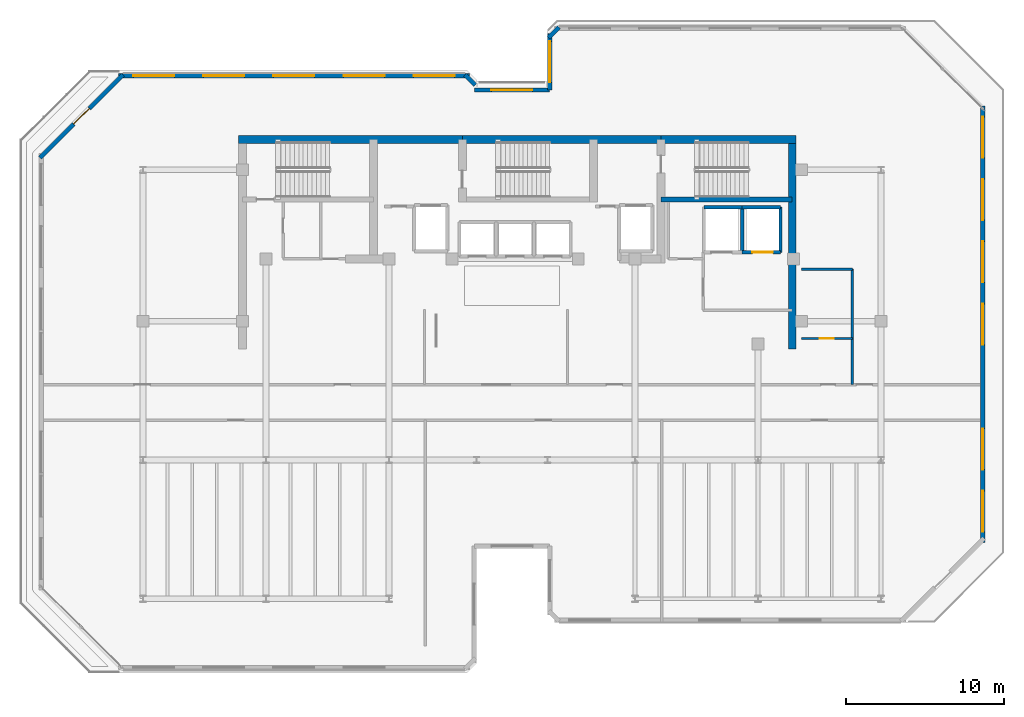
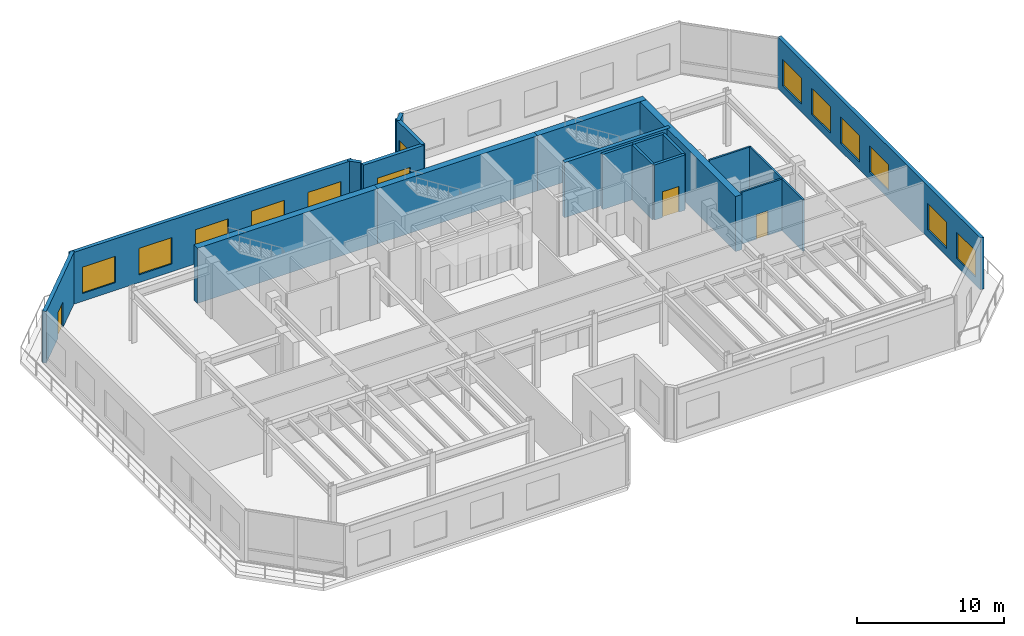
# One storey, part 8 of 14: 20 walls, 13 windows, 3 doors, 16 openings.
"""IFC4 building model written with IfcOpenShell, lengths in metres."""

from ifc_helpers import new_model, si_unit, direction, frame, frame_2d, origin, place, context, subcontext, project, spatial, rectangle, extrude, material, layer, layer_set, type_object, element, fill, save


model = new_model("IFC4")

# Units and contexts
model_context = context("Model", 3, precision=1e-05, world=origin(), true_north=direction((0.0, 1.0)))
body_context = subcontext(model_context, "Body", "Model", "MODEL_VIEW")
ifc_project = project(units=[si_unit("LENGTHUNIT", "METRE"), si_unit("AREAUNIT", "SQUARE_METRE"), si_unit("VOLUMEUNIT", "CUBIC_METRE"), si_unit("PLANEANGLEUNIT", "RADIAN"), si_unit("MASSUNIT", "GRAM", prefix="KILO")], contexts=[model_context])

# Site, building, storey
site_placement = place(None, origin())
site = spatial("IfcSite", under=ifc_project, at=site_placement, CompositionType="ELEMENT")
building_placement = place(site_placement, origin())
building = spatial("IfcBuilding", under=site, at=building_placement, Name="Kestravale Grand Hotel", CompositionType="ELEMENT")
storey_placement = place(building_placement, frame((0.0, 0.0, 297.39990234375)))
storey = spatial("IfcBuildingStorey", under=building, at=storey_placement, Name="L74", CompositionType="ELEMENT", Elevation=297.39990234375)

# Walls
ifc_material_1 = material(Name="Concrete f'c 50 MPa", Category="concrete")
ifc_layer_1 = layer(ifc_material_1, 0.5)
ifc_layer_set_1 = layer_set([ifc_layer_1], Name="EW-CORE-500")
wall_type_1 = type_object("IfcWallType", Name="EW-CORE-500", PredefinedType="SHEAR", material=ifc_layer_set_1)
wall_1_placement = place(storey_placement, frame((21.64990234375, 40.320068359375, 0.0), z_axis=(0.0, 0.0, 1.0), x_axis=(1.0, 0.0, 0.0)))
element("IfcWall", 1, at=wall_1_placement, inside=storey, type_object=wall_type_1, Name="L74 core shear wall N1", PredefinedType="SHEAR", context=body_context, shape_type="SweptSolid", body=[
    extrude(rectangle(XDim=14.2001953125, YDim=0.5, at=frame_2d((7.10009765625, 0.0))), origin(), (0.0, 0.0, 1.0), 4.60009765625),
])
wall_2_placement = place(storey_placement, frame((35.85009765625, 40.320068359375, 0.0), z_axis=(0.0, 0.0, 1.0), x_axis=(1.0, 0.0, 0.0)))
element("IfcWall", 2, at=wall_2_placement, inside=storey, type_object=wall_type_1, Name="L74 core shear wall N2", PredefinedType="SHEAR", context=body_context, shape_type="SweptSolid", body=[
    extrude(rectangle(XDim=12.599853515625, YDim=0.5, at=frame_2d((6.2998046875, 0.0))), origin(), (0.0, 0.0, 1.0), 4.60009765625),
])
wall_3_placement = place(storey_placement, frame((48.449951171875, 40.320068359375, 0.0), z_axis=(0.0, 0.0, 1.0), x_axis=(1.0, 0.0, 0.0)))
element("IfcWall", 3, at=wall_3_placement, inside=storey, type_object=wall_type_1, Name="L74 core shear wall N3", PredefinedType="SHEAR", context=body_context, shape_type="SweptSolid", body=[
    extrude(rectangle(XDim=8.570068359375, YDim=0.5, at=frame_2d((4.28515625, 0.0))), origin(), (0.0, 0.0, 1.0), 4.60009765625),
])
wall_4_placement = place(storey_placement, frame((56.77001953125, 27.050048828125, 0.0), z_axis=(0.0, 0.0, 1.0), x_axis=(0.0, 1.0, 0.0)))
element("IfcWall", 4, at=wall_4_placement, inside=storey, type_object=wall_type_1, Name="L74 core shear wall E1", PredefinedType="SHEAR", context=body_context, shape_type="SweptSolid", body=[
    extrude(rectangle(XDim=13.52001953125, YDim=0.5, at=frame_2d((6.760009765625, 0.0))), origin(), (0.0, 0.0, 1.0), 4.60009765625),
])

# Wall, openings, windows
ifc_material_2 = material(Name="Precast concrete f'c 45 MPa", Category="concrete")
ifc_layer_2 = layer(ifc_material_2, 0.280029296875)
ifc_layer_set_2 = layer_set([ifc_layer_2], Name="EW-PREC-280")
wall_type_2 = type_object("IfcWallType", Name="EW-PREC-280", PredefinedType="SOLIDWALL", material=ifc_layer_set_2)
wall_5_placement = place(storey_placement, frame((68.860107421875, 14.760009765625, 0.0), z_axis=(0.0, 0.0, 1.0), x_axis=(0.0, 1.0, 0.0)))
wall_5 = element("IfcWall", 5, at=wall_5_placement, inside=storey, type_object=wall_type_2, Name="L74 fluted precast facade wall 9", PredefinedType="SOLIDWALL", context=body_context, shape_type="SweptSolid", body=[
    extrude(rectangle(XDim=27.679931640625, YDim=0.280029296875, at=frame_2d((13.83984375, 0.0))), origin(), (0.0, 0.0, 1.0), 4.31005859375),
])
opening_1_placement = place(wall_5_placement, frame((0.677001953125, 0.0, 0.64990234375)))
opening_1 = element("IfcOpeningElement", 6, at=opening_1_placement, cuts=wall_5, Name="Opening W-SKY-2600", PredefinedType="OPENING", context=body_context, shape_type="SweptSolid", body=[
    extrude(rectangle(XDim=2.60009765625, YDim=2.199951171875, at=frame_2d((1.300048828125, 1.10009765625))), frame((0.0, 0.14990234375, 0.0), z_axis=(0.0, -1.0, 0.0), x_axis=(1.0, 0.0, 0.0)), (0.0, 0.0, 1.0), 0.300048828125),
])
opening_2_placement = place(wall_5_placement, frame((4.63134765625, 0.0, 0.64990234375)))
opening_2 = element("IfcOpeningElement", 7, at=opening_2_placement, cuts=wall_5, Name="Opening W-SKY-2600", PredefinedType="OPENING", context=body_context, shape_type="SweptSolid", body=[
    extrude(rectangle(XDim=2.60009765625, YDim=2.199951171875, at=frame_2d((1.300048828125, 1.10009765625))), frame((0.0, 0.14990234375, 0.0), z_axis=(0.0, -1.0, 0.0), x_axis=(1.0, 0.0, 0.0)), (0.0, 0.0, 1.0), 0.300048828125),
])
opening_3_placement = place(wall_5_placement, frame((12.5400390625, 0.0, 0.64990234375)))
opening_3 = element("IfcOpeningElement", 8, at=opening_3_placement, cuts=wall_5, Name="Opening W-SKY-2600", PredefinedType="OPENING", context=body_context, shape_type="SweptSolid", body=[
    extrude(rectangle(XDim=2.60009765625, YDim=2.199951171875, at=frame_2d((1.300048828125, 1.10009765625))), frame((0.0, 0.14990234375, 0.0), z_axis=(0.0, -1.0, 0.0), x_axis=(1.0, 0.0, 0.0)), (0.0, 0.0, 1.0), 0.300048828125),
])
opening_4_placement = place(wall_5_placement, frame((16.494384765625, 0.0, 0.64990234375)))
opening_4 = element("IfcOpeningElement", 9, at=opening_4_placement, cuts=wall_5, Name="Opening W-SKY-2600", PredefinedType="OPENING", context=body_context, shape_type="SweptSolid", body=[
    extrude(rectangle(XDim=2.60009765625, YDim=2.199951171875, at=frame_2d((1.300048828125, 1.10009765625))), frame((0.0, 0.14990234375, 0.0), z_axis=(0.0, -1.0, 0.0), x_axis=(1.0, 0.0, 0.0)), (0.0, 0.0, 1.0), 0.300048828125),
])
opening_5_placement = place(wall_5_placement, frame((20.448486328125, 0.0, 0.64990234375)))
opening_5 = element("IfcOpeningElement", 10, at=opening_5_placement, cuts=wall_5, Name="Opening W-SKY-2600", PredefinedType="OPENING", context=body_context, shape_type="SweptSolid", body=[
    extrude(rectangle(XDim=2.60009765625, YDim=2.199951171875, at=frame_2d((1.300048828125, 1.10009765625))), frame((0.0, 0.14990234375, 0.0), z_axis=(0.0, -1.0, 0.0), x_axis=(1.0, 0.0, 0.0)), (0.0, 0.0, 1.0), 0.300048828125),
])
opening_6_placement = place(wall_5_placement, frame((24.40283203125, 0.0, 0.64990234375)))
opening_6 = element("IfcOpeningElement", 11, at=opening_6_placement, cuts=wall_5, Name="Opening W-SKY-2600", PredefinedType="OPENING", context=body_context, shape_type="SweptSolid", body=[
    extrude(rectangle(XDim=2.60009765625, YDim=2.199951171875, at=frame_2d((1.300048828125, 1.10009765625))), frame((0.0, 0.14990234375, 0.0), z_axis=(0.0, -1.0, 0.0), x_axis=(1.0, 0.0, 0.0)), (0.0, 0.0, 1.0), 0.300048828125),
])
ifc_material_3 = material(Name="Insulated low-E double glazing in aluminium frame", Category="aluminium")
window_type = type_object("IfcWindowType", Name="W-SKY-2600", PartitioningType="TRIPLE_PANEL_VERTICAL", PredefinedType="WINDOW", material=ifc_material_3)
window_1_placement = place(opening_1_placement, origin())
window_1 = element("IfcWindow", 12, at=window_1_placement, inside=storey, type_object=window_type, Name="L74 exterior window 9.1", OverallHeight=2.199951171875, OverallWidth=2.60009765625, PartitioningType="SINGLE_PANEL", PredefinedType="WINDOW", context=body_context, shape_type="SweptSolid", body=[
    extrude(rectangle(XDim=2.60009765625, YDim=2.199951171875, at=frame_2d((1.300048828125, 1.10009765625))), frame((0.0, 0.030029296875, 0.0), z_axis=(0.0, -1.0, 0.0), x_axis=(1.0, 0.0, 0.0)), (0.0, 0.0, 1.0), 0.06005859375),
])
fill(opening_1, window_1)
window_2_placement = place(opening_2_placement, origin())
window_2 = element("IfcWindow", 13, at=window_2_placement, inside=storey, type_object=window_type, Name="L74 exterior window 9.2", OverallHeight=2.199951171875, OverallWidth=2.60009765625, PartitioningType="SINGLE_PANEL", PredefinedType="WINDOW", context=body_context, shape_type="SweptSolid", body=[
    extrude(rectangle(XDim=2.60009765625, YDim=2.199951171875, at=frame_2d((1.300048828125, 1.10009765625))), frame((0.0, 0.030029296875, 0.0), z_axis=(0.0, -1.0, 0.0), x_axis=(1.0, 0.0, 0.0)), (0.0, 0.0, 1.0), 0.06005859375),
])
fill(opening_2, window_2)
window_3_placement = place(opening_3_placement, origin())
window_3 = element("IfcWindow", 14, at=window_3_placement, inside=storey, type_object=window_type, Name="L74 exterior window 9.3", OverallHeight=2.199951171875, OverallWidth=2.60009765625, PartitioningType="SINGLE_PANEL", PredefinedType="WINDOW", context=body_context, shape_type="SweptSolid", body=[
    extrude(rectangle(XDim=2.60009765625, YDim=2.199951171875, at=frame_2d((1.300048828125, 1.10009765625))), frame((0.0, 0.030029296875, 0.0), z_axis=(0.0, -1.0, 0.0), x_axis=(1.0, 0.0, 0.0)), (0.0, 0.0, 1.0), 0.06005859375),
])
fill(opening_3, window_3)
window_4_placement = place(opening_4_placement, origin())
window_4 = element("IfcWindow", 15, at=window_4_placement, inside=storey, type_object=window_type, Name="L74 exterior window 9.4", OverallHeight=2.199951171875, OverallWidth=2.60009765625, PartitioningType="SINGLE_PANEL", PredefinedType="WINDOW", context=body_context, shape_type="SweptSolid", body=[
    extrude(rectangle(XDim=2.60009765625, YDim=2.199951171875, at=frame_2d((1.300048828125, 1.10009765625))), frame((0.0, 0.030029296875, 0.0), z_axis=(0.0, -1.0, 0.0), x_axis=(1.0, 0.0, 0.0)), (0.0, 0.0, 1.0), 0.06005859375),
])
fill(opening_4, window_4)
window_5_placement = place(opening_5_placement, origin())
window_5 = element("IfcWindow", 16, at=window_5_placement, inside=storey, type_object=window_type, Name="L74 exterior window 9.5", OverallHeight=2.199951171875, OverallWidth=2.60009765625, PartitioningType="SINGLE_PANEL", PredefinedType="WINDOW", context=body_context, shape_type="SweptSolid", body=[
    extrude(rectangle(XDim=2.60009765625, YDim=2.199951171875, at=frame_2d((1.300048828125, 1.10009765625))), frame((0.0, 0.030029296875, 0.0), z_axis=(0.0, -1.0, 0.0), x_axis=(1.0, 0.0, 0.0)), (0.0, 0.0, 1.0), 0.06005859375),
])
fill(opening_5, window_5)
window_6_placement = place(opening_6_placement, origin())
window_6 = element("IfcWindow", 17, at=window_6_placement, inside=storey, type_object=window_type, Name="L74 exterior window 9.6", OverallHeight=2.199951171875, OverallWidth=2.60009765625, PartitioningType="SINGLE_PANEL", PredefinedType="WINDOW", context=body_context, shape_type="SweptSolid", body=[
    extrude(rectangle(XDim=2.60009765625, YDim=2.199951171875, at=frame_2d((1.300048828125, 1.10009765625))), frame((0.0, 0.030029296875, 0.0), z_axis=(0.0, -1.0, 0.0), x_axis=(1.0, 0.0, 0.0)), (0.0, 0.0, 1.0), 0.06005859375),
])
fill(opening_6, window_6)

# Wall
wall_6_placement = place(storey_placement, frame((41.977294921875, 47.42919921875, 0.0), z_axis=(0.0, 0.0, 1.0), x_axis=(-0.707106781187, -0.707106781187, 0.0)))
element("IfcWall", 18, at=wall_6_placement, inside=storey, type_object=wall_type_2, Name="L74 fluted precast facade wall 12", PredefinedType="SOLIDWALL", context=body_context, shape_type="SweptSolid", body=[
    extrude(rectangle(XDim=0.928466796875, YDim=0.280029296875, at=frame_2d((0.46435546875, 0.0))), origin(), (0.0, 0.0, 1.0), 4.31005859375),
])

# Wall, opening, window
wall_7_placement = place(storey_placement, frame((41.389892578125, 47.0400390625, 0.0), z_axis=(0.0, 0.0, 1.0), x_axis=(0.0, -1.0, 0.0)))
wall_7 = element("IfcWall", 19, at=wall_7_placement, inside=storey, type_object=wall_type_2, Name="L74 fluted precast facade wall 13", PredefinedType="SOLIDWALL", context=body_context, shape_type="SweptSolid", body=[
    extrude(rectangle(XDim=3.580078125, YDim=0.280029296875, at=frame_2d((1.7900390625, 0.0))), origin(), (0.0, 0.0, 1.0), 4.31005859375),
])
opening_7_placement = place(wall_7_placement, frame((0.489990234375, 0.0, 0.64990234375)))
opening_7 = element("IfcOpeningElement", 20, at=opening_7_placement, cuts=wall_7, Name="Opening W-SKY-2600", PredefinedType="OPENING", context=body_context, shape_type="SweptSolid", body=[
    extrude(rectangle(XDim=2.60009765625, YDim=2.199951171875, at=frame_2d((1.300048828125, 1.10009765625))), frame((0.0, 0.14990234375, 0.0), z_axis=(0.0, -1.0, 0.0), x_axis=(1.0, 0.0, 0.0)), (0.0, 0.0, 1.0), 0.300048828125),
])
window_7_placement = place(opening_7_placement, origin())
window_7 = element("IfcWindow", 21, at=window_7_placement, inside=storey, type_object=window_type, Name="L74 exterior window 13.1", OverallHeight=2.199951171875, OverallWidth=2.60009765625, PartitioningType="SINGLE_PANEL", PredefinedType="WINDOW", context=body_context, shape_type="SweptSolid", body=[
    extrude(rectangle(XDim=2.60009765625, YDim=2.199951171875, at=frame_2d((1.300048828125, 1.10009765625))), frame((0.0, 0.030029296875, 0.0), z_axis=(0.0, -1.0, 0.0), x_axis=(1.0, 0.0, 0.0)), (0.0, 0.0, 1.0), 0.06005859375),
])
fill(opening_7, window_7)

wall_8_placement = place(storey_placement, frame((41.389892578125, 43.4599609375, 0.0), z_axis=(0.0, 0.0, 1.0), x_axis=(-1.0, 0.0, 0.0)))
wall_8 = element("IfcWall", 22, at=wall_8_placement, inside=storey, type_object=wall_type_2, Name="L74 fluted precast facade wall 14", PredefinedType="SOLIDWALL", context=body_context, shape_type="SweptSolid", body=[
    extrude(rectangle(XDim=4.77978515625, YDim=0.280029296875, at=frame_2d((2.389892578125, 0.0))), origin(), (0.0, 0.0, 1.0), 4.31005859375),
])
opening_8_placement = place(wall_8_placement, frame((1.090087890625, 0.0, 0.64990234375)))
opening_8 = element("IfcOpeningElement", 23, at=opening_8_placement, cuts=wall_8, Name="Opening W-SKY-2600", PredefinedType="OPENING", context=body_context, shape_type="SweptSolid", body=[
    extrude(rectangle(XDim=2.60009765625, YDim=2.199951171875, at=frame_2d((1.300048828125, 1.10009765625))), frame((0.0, 0.14990234375, 0.0), z_axis=(0.0, -1.0, 0.0), x_axis=(1.0, 0.0, 0.0)), (0.0, 0.0, 1.0), 0.300048828125),
])
window_8_placement = place(opening_8_placement, origin())
window_8 = element("IfcWindow", 24, at=window_8_placement, inside=storey, type_object=window_type, Name="L74 exterior window 14.1", OverallHeight=2.199951171875, OverallWidth=2.60009765625, PartitioningType="SINGLE_PANEL", PredefinedType="WINDOW", context=body_context, shape_type="SweptSolid", body=[
    extrude(rectangle(XDim=2.60009765625, YDim=2.199951171875, at=frame_2d((1.300048828125, 1.10009765625))), frame((0.0, 0.030029296875, 0.0), z_axis=(0.0, -1.0, 0.0), x_axis=(1.0, 0.0, 0.0)), (0.0, 0.0, 1.0), 0.06005859375),
])
fill(opening_8, window_8)

# Wall
wall_9_placement = place(storey_placement, frame((36.67919921875, 43.772705078125, 0.0), z_axis=(0.0, 0.0, 1.0), x_axis=(-0.707106781187, 0.707106781187, 0.0)))
element("IfcWall", 25, at=wall_9_placement, inside=storey, type_object=wall_type_2, Name="L74 fluted precast facade wall 16", PredefinedType="SOLIDWALL", context=body_context, shape_type="SweptSolid", body=[
    extrude(rectangle(XDim=0.928466796875, YDim=0.280029296875, at=frame_2d((0.46435546875, 0.0))), origin(), (0.0, 0.0, 1.0), 4.31005859375),
])

# Wall, openings, windows
wall_10_placement = place(storey_placement, frame((36.2900390625, 44.360107421875, 0.0), z_axis=(0.0, 0.0, 1.0), x_axis=(-1.0, 0.0, 0.0)))
wall_10 = element("IfcWall", 26, at=wall_10_placement, inside=storey, type_object=wall_type_2, Name="L74 fluted precast facade wall 17", PredefinedType="SOLIDWALL", context=body_context, shape_type="SweptSolid", body=[
    extrude(rectangle(XDim=22.22998046875, YDim=0.280029296875, at=frame_2d((11.114990234375, 0.0))), origin(), (0.0, 0.0, 1.0), 4.31005859375),
])
opening_9_placement = place(wall_10_placement, frame((0.923095703125, 0.0, 0.64990234375)))
opening_9 = element("IfcOpeningElement", 27, at=opening_9_placement, cuts=wall_10, Name="Opening W-SKY-2600", PredefinedType="OPENING", context=body_context, shape_type="SweptSolid", body=[
    extrude(rectangle(XDim=2.60009765625, YDim=2.199951171875, at=frame_2d((1.300048828125, 1.10009765625))), frame((0.0, 0.14990234375, 0.0), z_axis=(0.0, -1.0, 0.0), x_axis=(1.0, 0.0, 0.0)), (0.0, 0.0, 1.0), 0.300048828125),
])
opening_10_placement = place(wall_10_placement, frame((5.368896484375, 0.0, 0.64990234375)))
opening_10 = element("IfcOpeningElement", 28, at=opening_10_placement, cuts=wall_10, Name="Opening W-SKY-2600", PredefinedType="OPENING", context=body_context, shape_type="SweptSolid", body=[
    extrude(rectangle(XDim=2.60009765625, YDim=2.199951171875, at=frame_2d((1.300048828125, 1.10009765625))), frame((0.0, 0.14990234375, 0.0), z_axis=(0.0, -1.0, 0.0), x_axis=(1.0, 0.0, 0.0)), (0.0, 0.0, 1.0), 0.300048828125),
])
opening_11_placement = place(wall_10_placement, frame((9.81494140625, 0.0, 0.64990234375)))
opening_11 = element("IfcOpeningElement", 29, at=opening_11_placement, cuts=wall_10, Name="Opening W-SKY-2600", PredefinedType="OPENING", context=body_context, shape_type="SweptSolid", body=[
    extrude(rectangle(XDim=2.60009765625, YDim=2.199951171875, at=frame_2d((1.300048828125, 1.10009765625))), frame((0.0, 0.14990234375, 0.0), z_axis=(0.0, -1.0, 0.0), x_axis=(1.0, 0.0, 0.0)), (0.0, 0.0, 1.0), 0.300048828125),
])
opening_12_placement = place(wall_10_placement, frame((14.260986328125, 0.0, 0.64990234375)))
opening_12 = element("IfcOpeningElement", 30, at=opening_12_placement, cuts=wall_10, Name="Opening W-SKY-2600", PredefinedType="OPENING", context=body_context, shape_type="SweptSolid", body=[
    extrude(rectangle(XDim=2.60009765625, YDim=2.199951171875, at=frame_2d((1.300048828125, 1.10009765625))), frame((0.0, 0.14990234375, 0.0), z_axis=(0.0, -1.0, 0.0), x_axis=(1.0, 0.0, 0.0)), (0.0, 0.0, 1.0), 0.300048828125),
])
opening_13_placement = place(wall_10_placement, frame((18.70703125, 0.0, 0.64990234375)))
opening_13 = element("IfcOpeningElement", 31, at=opening_13_placement, cuts=wall_10, Name="Opening W-SKY-2600", PredefinedType="OPENING", context=body_context, shape_type="SweptSolid", body=[
    extrude(rectangle(XDim=2.60009765625, YDim=2.199951171875, at=frame_2d((1.300048828125, 1.10009765625))), frame((0.0, 0.14990234375, 0.0), z_axis=(0.0, -1.0, 0.0), x_axis=(1.0, 0.0, 0.0)), (0.0, 0.0, 1.0), 0.300048828125),
])
window_9_placement = place(opening_9_placement, origin())
window_9 = element("IfcWindow", 32, at=window_9_placement, inside=storey, type_object=window_type, Name="L74 exterior window 17.1", OverallHeight=2.199951171875, OverallWidth=2.60009765625, PartitioningType="SINGLE_PANEL", PredefinedType="WINDOW", context=body_context, shape_type="SweptSolid", body=[
    extrude(rectangle(XDim=2.60009765625, YDim=2.199951171875, at=frame_2d((1.300048828125, 1.10009765625))), frame((0.0, 0.030029296875, 0.0), z_axis=(0.0, -1.0, 0.0), x_axis=(1.0, 0.0, 0.0)), (0.0, 0.0, 1.0), 0.06005859375),
])
fill(opening_9, window_9)
window_10_placement = place(opening_10_placement, origin())
window_10 = element("IfcWindow", 33, at=window_10_placement, inside=storey, type_object=window_type, Name="L74 exterior window 17.2", OverallHeight=2.199951171875, OverallWidth=2.60009765625, PartitioningType="SINGLE_PANEL", PredefinedType="WINDOW", context=body_context, shape_type="SweptSolid", body=[
    extrude(rectangle(XDim=2.60009765625, YDim=2.199951171875, at=frame_2d((1.300048828125, 1.10009765625))), frame((0.0, 0.030029296875, 0.0), z_axis=(0.0, -1.0, 0.0), x_axis=(1.0, 0.0, 0.0)), (0.0, 0.0, 1.0), 0.06005859375),
])
fill(opening_10, window_10)
window_11_placement = place(opening_11_placement, origin())
window_11 = element("IfcWindow", 34, at=window_11_placement, inside=storey, type_object=window_type, Name="L74 exterior window 17.3", OverallHeight=2.199951171875, OverallWidth=2.60009765625, PartitioningType="SINGLE_PANEL", PredefinedType="WINDOW", context=body_context, shape_type="SweptSolid", body=[
    extrude(rectangle(XDim=2.60009765625, YDim=2.199951171875, at=frame_2d((1.300048828125, 1.10009765625))), frame((0.0, 0.030029296875, 0.0), z_axis=(0.0, -1.0, 0.0), x_axis=(1.0, 0.0, 0.0)), (0.0, 0.0, 1.0), 0.06005859375),
])
fill(opening_11, window_11)
window_12_placement = place(opening_12_placement, origin())
window_12 = element("IfcWindow", 35, at=window_12_placement, inside=storey, type_object=window_type, Name="L74 exterior window 17.4", OverallHeight=2.199951171875, OverallWidth=2.60009765625, PartitioningType="SINGLE_PANEL", PredefinedType="WINDOW", context=body_context, shape_type="SweptSolid", body=[
    extrude(rectangle(XDim=2.60009765625, YDim=2.199951171875, at=frame_2d((1.300048828125, 1.10009765625))), frame((0.0, 0.030029296875, 0.0), z_axis=(0.0, -1.0, 0.0), x_axis=(1.0, 0.0, 0.0)), (0.0, 0.0, 1.0), 0.06005859375),
])
fill(opening_12, window_12)
window_13_placement = place(opening_13_placement, origin())
window_13 = element("IfcWindow", 36, at=window_13_placement, inside=storey, type_object=window_type, Name="L74 exterior window 17.5", OverallHeight=2.199951171875, OverallWidth=2.60009765625, PartitioningType="SINGLE_PANEL", PredefinedType="WINDOW", context=body_context, shape_type="SweptSolid", body=[
    extrude(rectangle(XDim=2.60009765625, YDim=2.199951171875, at=frame_2d((1.300048828125, 1.10009765625))), frame((0.0, 0.030029296875, 0.0), z_axis=(0.0, -1.0, 0.0), x_axis=(1.0, 0.0, 0.0)), (0.0, 0.0, 1.0), 0.06005859375),
])
fill(opening_13, window_13)

# Wall, opening, door
wall_11_placement = place(storey_placement, frame((14.327392578125, 44.42919921875, 0.0), z_axis=(0.0, 0.0, 1.0), x_axis=(-0.707106781187, -0.707106781187, 0.0)))
wall_11 = element("IfcWall", 37, at=wall_11_placement, inside=storey, type_object=wall_type_2, Name="L74 fluted precast facade wall 18", PredefinedType="SOLIDWALL", context=body_context, shape_type="SweptSolid", body=[
    extrude(rectangle(XDim=7.433837890625, YDim=0.280029296875, at=frame_2d((3.716796875, 0.0))), origin(), (0.0, 0.0, 1.0), 4.31005859375),
])
opening_14_placement = place(wall_11_placement, frame((3.01708984375, 0.0, 0.0)))
opening_14 = element("IfcOpeningElement", 38, at=opening_14_placement, cuts=wall_11, Name="Opening D-TERR-1400", PredefinedType="OPENING", context=body_context, shape_type="SweptSolid", body=[
    extrude(rectangle(XDim=1.39990234375, YDim=2.14990234375, at=frame_2d((0.699951171875, 1.074951171875))), frame((0.0, 0.14990234375, 0.0), z_axis=(0.0, -1.0, 0.0), x_axis=(1.0, 0.0, 0.0)), (0.0, 0.0, 1.0), 0.300048828125),
])
ifc_material_4 = material(Name="Insulated glazed champagne-bronze aluminium door", Category="aluminium")
door_type_1 = type_object("IfcDoorType", Name="D-TERR-1400", OperationType="NOTDEFINED", PredefinedType="DOOR", material=ifc_material_4)
door_1_placement = place(opening_14_placement, origin())
door_1 = element("IfcDoor", 39, at=door_1_placement, inside=storey, type_object=door_type_1, Name="L74 outdoor garden terrace door", OperationType="DOUBLE_DOOR_SINGLE_SWING", OverallHeight=2.14990234375, OverallWidth=1.39990234375, PredefinedType="DOOR", context=body_context, shape_type="SweptSolid", body=[
    extrude(rectangle(XDim=1.39990234375, YDim=2.14990234375, at=frame_2d((0.699951171875, 1.074951171875))), frame((0.0, 0.02490234375, 0.0), z_axis=(0.0, -1.0, 0.0), x_axis=(1.0, 0.0, 0.0)), (0.0, 0.0, 1.0), 0.050048828125),
])
fill(opening_14, door_1)

# Walls
ifc_material_5 = material(Name="Concrete f'c 45 MPa", Category="concrete")
ifc_layer_3 = layer(ifc_material_5, 0.300048828125)
ifc_layer_set_3 = layer_set([ifc_layer_3], Name="EW-STAIR-300")
wall_type_3 = type_object("IfcWallType", Name="EW-STAIR-300", PredefinedType="SHEAR", material=ifc_layer_set_3)
wall_12_placement = place(storey_placement, frame((48.449951171875, 36.52001953125, 0.0), z_axis=(0.0, 0.0, 1.0), x_axis=(1.0, 0.0, 0.0)))
element("IfcWall", 40, at=wall_12_placement, inside=storey, type_object=wall_type_3, Name="L74 stair enclosure shear wall SST3", PredefinedType="SHEAR", context=body_context, shape_type="SweptSolid", body=[
    extrude(rectangle(XDim=8.320068359375, YDim=0.300048828125, at=frame_2d((4.16015625, 0.0))), origin(), (0.0, 0.0, 1.0), 4.60009765625),
])
ifc_material_6 = material(Name="Moisture-resistant tile-backer plumbing chase wall", Category="other")
ifc_layer_4 = layer(ifc_material_6, 0.139892578125)
ifc_layer_set_4 = layer_set([ifc_layer_4], Name="IW-PLB-140")
wall_type_4 = type_object("IfcWallType", Name="IW-PLB-140", PredefinedType="PLUMBINGWALL", material=ifc_layer_set_4)
wall_13_placement = place(storey_placement, frame((60.580078125, 24.780029296875, 0.0), z_axis=(0.0, 0.0, 1.0), x_axis=(0.0, 1.0, 0.0)))
element("IfcWall", 41, at=wall_13_placement, inside=storey, type_object=wall_type_4, Name="W-L74-NEV", PredefinedType="PLUMBINGWALL", context=body_context, shape_type="SweptSolid", body=[
    extrude(rectangle(XDim=7.320068359375, YDim=0.139892578125, at=frame_2d((3.66015625, 0.0))), origin(), (0.0, 0.0, 1.0), 4.31005859375),
])

# Wall, opening, door
wall_14_placement = place(storey_placement, frame((57.35009765625, 27.699951171875, 0.0), z_axis=(0.0, 0.0, 1.0), x_axis=(1.0, 0.0, 0.0)))
wall_14 = element("IfcWall", 42, at=wall_14_placement, inside=storey, type_object=wall_type_4, Name="W-L74-NE1", PredefinedType="PLUMBINGWALL", context=body_context, shape_type="SweptSolid", body=[
    extrude(rectangle(XDim=3.22998046875, YDim=0.139892578125, at=frame_2d((1.614990234375, 0.0))), origin(), (0.0, 0.0, 1.0), 4.31005859375),
])
opening_15_placement = place(wall_14_placement, frame((1.175048828125, 0.0, 0.0)))
opening_15 = element("IfcOpeningElement", 43, at=opening_15_placement, cuts=wall_14, Name="Opening D-BATH-880", PredefinedType="OPENING", context=body_context, shape_type="SweptSolid", body=[
    extrude(rectangle(XDim=0.8798828125, YDim=2.050048828125, at=frame_2d((0.43994140625, 1.02490234375))), frame((0.0, 0.079833984375, 0.0), z_axis=(0.0, -1.0, 0.0), x_axis=(1.0, 0.0, 0.0)), (0.0, 0.0, 1.0), 0.159912109375),
])
ifc_material_7 = material(Name="Moisture-sealed walnut en-suite bathroom door", Category="wood")
door_type_2 = type_object("IfcDoorType", Name="D-BATH-880", OperationType="NOTDEFINED", PredefinedType="DOOR", material=ifc_material_7)
door_2_placement = place(opening_15_placement, origin())
door_2 = element("IfcDoor", 44, at=door_2_placement, inside=storey, type_object=door_type_2, Name="D-L74-WCM", OperationType="SINGLE_SWING_LEFT", OverallHeight=2.050048828125, OverallWidth=0.8798828125, PredefinedType="DOOR", context=body_context, shape_type="SweptSolid", body=[
    extrude(rectangle(XDim=0.8798828125, YDim=2.050048828125, at=frame_2d((0.43994140625, 1.02490234375))), frame((0.0, 0.02490234375, 0.0), z_axis=(0.0, -1.0, 0.0), x_axis=(1.0, 0.0, 0.0)), (0.0, 0.0, 1.0), 0.050048828125),
])
fill(opening_15, door_2)

# Walls
wall_15_placement = place(storey_placement, frame((57.35009765625, 32.10009765625, 0.0), z_axis=(0.0, 0.0, 1.0), x_axis=(1.0, 0.0, 0.0)))
element("IfcWall", 45, at=wall_15_placement, inside=storey, type_object=wall_type_4, Name="W-L74-NE2", PredefinedType="PLUMBINGWALL", context=body_context, shape_type="SweptSolid", body=[
    extrude(rectangle(XDim=3.22998046875, YDim=0.139892578125, at=frame_2d((1.614990234375, 0.0))), origin(), (0.0, 0.0, 1.0), 4.31005859375),
])
ifc_material_8 = material(Name="Concrete f'c 45 MPa", Category="concrete")
ifc_layer_5 = layer(ifc_material_8, 0.199951171875)
ifc_layer_set_5 = layer_set([ifc_layer_5], Name="IW-SHAFT-200")
wall_type_5 = type_object("IfcWallType", Name="IW-SHAFT-200", PredefinedType="SHEAR", material=ifc_layer_set_5)
for number, where, z_axis, x_axis, name in (
    (46, (53.60009765625, 33.169921875, 0.0), (0.0, 0.0, 1.0), (0.0, 1.0, 0.0), "L74 SL-2 west shaft wall"),
    (47, (56.02001953125, 33.169921875, 0.0), (0.0, 0.0, 1.0), (0.0, 1.0, 0.0), "L74 SL-2 east shaft wall"),
):
    element("IfcWall", number, at=place(storey_placement, frame(where, z_axis=z_axis, x_axis=x_axis)), inside=storey, type_object=wall_type_5, Name=name, PredefinedType="SHEAR", context=body_context, shape_type="SweptSolid", body=[
        extrude(rectangle(XDim=2.860107421875, YDim=0.199951171875, at=frame_2d((1.43017578125, 0.0))), origin(), (0.0, 0.0, 1.0), 4.60009765625),
    ])
ifc_material_9 = material(Name="Concrete f'c 45 MPa", Category="concrete")
ifc_layer_6 = layer(ifc_material_9, 0.219970703125)
ifc_layer_set_6 = layer_set([ifc_layer_6], Name="IW-SHAFT-220")
wall_type_6 = type_object("IfcWallType", Name="IW-SHAFT-220", PredefinedType="SHEAR", material=ifc_layer_set_6)
wall_16_placement = place(storey_placement, frame((51.179931640625, 36.030029296875, 0.0), z_axis=(0.0, 0.0, 1.0), x_axis=(1.0, 0.0, 0.0)))
element("IfcWall", 48, at=wall_16_placement, inside=storey, type_object=wall_type_6, Name="L74 SL-1 north shaft wall", PredefinedType="SHEAR", context=body_context, shape_type="SweptSolid", body=[
    extrude(rectangle(XDim=2.420166015625, YDim=0.219970703125, at=frame_2d((1.2099609375, 0.0))), origin(), (0.0, 0.0, 1.0), 4.60009765625),
])
wall_17_placement = place(storey_placement, frame((53.60009765625, 36.030029296875, 0.0), z_axis=(0.0, 0.0, 1.0), x_axis=(1.0, 0.0, 0.0)))
element("IfcWall", 49, at=wall_17_placement, inside=storey, type_object=wall_type_6, Name="L74 SL-2 north shaft wall", PredefinedType="SHEAR", context=body_context, shape_type="SweptSolid", body=[
    extrude(rectangle(XDim=2.419921875, YDim=0.219970703125, at=frame_2d((1.2099609375, 0.0))), origin(), (0.0, 0.0, 1.0), 4.60009765625),
])

# Wall, opening, door
wall_18_placement = place(storey_placement, frame((53.60009765625, 33.169921875, 0.0), z_axis=(0.0, 0.0, 1.0), x_axis=(1.0, 0.0, 0.0)))
wall_18 = element("IfcWall", 50, at=wall_18_placement, inside=storey, type_object=wall_type_6, Name="L74 SL-2 south shaft wall", PredefinedType="SHEAR", context=body_context, shape_type="SweptSolid", body=[
    extrude(rectangle(XDim=2.419921875, YDim=0.219970703125, at=frame_2d((1.2099609375, 0.0))), origin(), (0.0, 0.0, 1.0), 4.60009765625),
])
opening_16_placement = place(wall_18_placement, frame((0.64990234375, 0.0, 0.0)))
opening_16 = element("IfcOpeningElement", 51, at=opening_16_placement, cuts=wall_18, Name="Opening LD-SVC-1300", PredefinedType="OPENING", context=body_context, shape_type="SweptSolid", body=[
    extrude(rectangle(XDim=1.300048828125, YDim=2.14990234375, at=frame_2d((0.64990234375, 1.074951171875))), frame((0.0, 0.119873046875, 0.0), z_axis=(0.0, -1.0, 0.0), x_axis=(1.0, 0.0, 0.0)), (0.0, 0.0, 1.0), 0.239990234375),
])
ifc_material_10 = material(Name="Heavy-duty service sliding elevator landing door", Category="steel")
door_type_3 = type_object("IfcDoorType", Name="LD-SVC-1300", OperationType="NOTDEFINED", PredefinedType="DOOR", material=ifc_material_10)
door_3_placement = place(opening_16_placement, origin())
door_3 = element("IfcDoor", 52, at=door_3_placement, inside=storey, type_object=door_type_3, Name="L74 SL-2 elevator landing sliding door", OperationType="DOUBLE_DOOR_SLIDING", OverallHeight=2.14990234375, OverallWidth=1.300048828125, PredefinedType="DOOR", context=body_context, shape_type="SweptSolid", body=[
    extrude(rectangle(XDim=1.300048828125, YDim=2.14990234375, at=frame_2d((0.64990234375, 1.074951171875))), frame((0.0, 0.02490234375, 0.0), z_axis=(0.0, -1.0, 0.0), x_axis=(1.0, 0.0, 0.0)), (0.0, 0.0, 1.0), 0.050048828125),
])
fill(opening_16, door_3)

save(model, "model.ifc")
